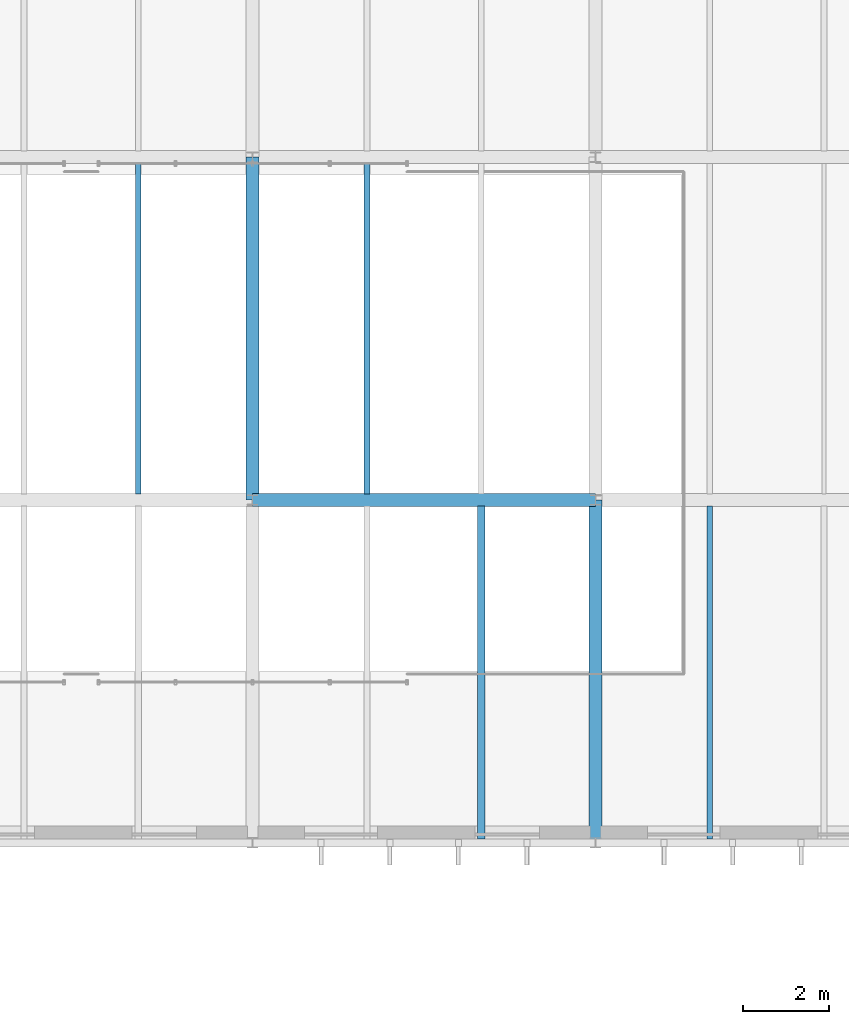
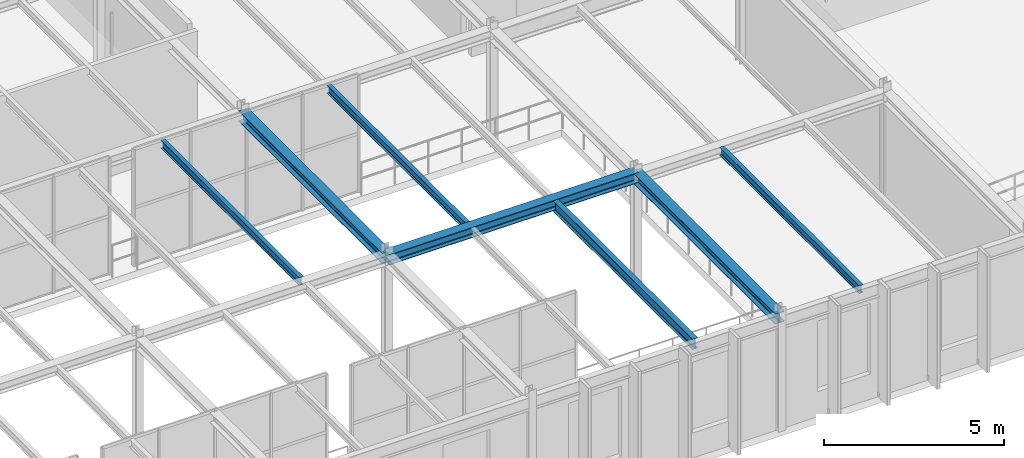
# One storey, part 60 of 124: 7 beams.
"""IFC4 building model written with IfcOpenShell, lengths in metres."""

from ifc_helpers import new_model, si_unit, direction, frame, origin, origin_2d, place, context, subcontext, project, spatial, i_section, extrude, material, material_profile, profile_set, type_object, element, save


model = new_model("IFC4")

# Units and contexts
model_context = context("Model", 3, precision=1e-05, world=origin(), true_north=direction((0.0, 1.0)))
body_context = subcontext(model_context, "Body", "Model", "MODEL_VIEW")
ifc_project = project(units=[si_unit("LENGTHUNIT", "METRE"), si_unit("AREAUNIT", "SQUARE_METRE"), si_unit("VOLUMEUNIT", "CUBIC_METRE"), si_unit("PLANEANGLEUNIT", "RADIAN"), si_unit("MASSUNIT", "GRAM", prefix="KILO")], contexts=[model_context])

# Site, building, storey
site_placement = place(None, origin())
site = spatial("IfcSite", under=ifc_project, at=site_placement, CompositionType="ELEMENT")
building_placement = place(site_placement, origin())
building = spatial("IfcBuilding", under=site, at=building_placement, Name="Sundkrona Museum", CompositionType="ELEMENT")
storey_placement = place(building_placement, frame((0.0, 0.0, 17.60009765625)))
storey = spatial("IfcBuildingStorey", under=building, at=storey_placement, Name="L03", CompositionType="ELEMENT", Elevation=17.60009765625)

# Beams
ifc_material = material(Name="Steel S355J2", Category="steel")
ifc_material_profile_1 = material_profile(ifc_material, i_section(OverallWidth=0.300048828125, OverallDepth=0.35009765625, WebThickness=0.010009765625, FlangeThickness=0.017578125, FilletRadius=0.027099609375, at=origin_2d()), Name="HEA 360")
ifc_profile_set_1 = profile_set([ifc_material_profile_1], Name="Steel S355J2")
beam_type_1 = type_object("IfcBeamType", Name="B-HEA360", PredefinedType="BEAM", material=ifc_profile_set_1)
for number, where, z_axis, x_axis, name in (
    (1, (40.0, 86.0, 3.784912109375), (1.0, 0.0, 0.0), (0.0, 1.0, 0.0), "L03 Girder X-1501"),
    (2, (40.0, 86.0, 3.784912109375), (0.0, 1.0, 0.0), (-1.0, 0.0, 0.0), "L03 Girder Y-1577"),
    (3, (48.0, 78.0, 3.784912109375), (0.0, 1.0, 0.0), (-1.0, 0.0, 0.0), "L03 Girder Y-1581"),
):
    element("IfcBeam", number, at=place(storey_placement, frame(where, z_axis=z_axis, x_axis=x_axis)), inside=storey, type_object=beam_type_1, Name=name, PredefinedType="BEAM", context=body_context, shape_type="SweptSolid", body=[
        extrude(i_section(OverallWidth=0.300048828125, OverallDepth=0.35009765625, WebThickness=0.010009765625, FlangeThickness=0.017578125, FilletRadius=0.027099609375, at=origin_2d()), origin(), (0.0, 0.0, 1.0), 8.0),
    ])
ifc_material_profile_2 = material_profile(ifc_material, i_section(OverallWidth=0.135009765625, OverallDepth=0.27001953125, WebThickness=0.006591796875, FlangeThickness=0.01025390625, FilletRadius=0.014892578125, at=origin_2d()), Name="IPE 270")
ifc_profile_set_2 = profile_set([ifc_material_profile_2], Name="Steel S355J2")
beam_type_2 = type_object("IfcBeamType", Name="J-IPE270", PredefinedType="JOIST", material=ifc_profile_set_2)
for number, where, z_axis, x_axis, name in (
    (4, (37.333251953125, 86.14404296875, 3.824951171875), (0.0, 1.0, 0.0), (-1.0, 0.0, 0.0), "L03 Composite Joist 0997"),
    (5, (42.666748046875, 86.14404296875, 3.824951171875), (0.0, 1.0, 0.0), (-1.0, 0.0, 0.0), "L03 Composite Joist 1006"),
):
    element("IfcBeam", number, at=place(storey_placement, frame(where, z_axis=z_axis, x_axis=x_axis)), inside=storey, type_object=beam_type_2, Name=name, PredefinedType="JOIST", context=body_context, shape_type="SweptSolid", body=[
        extrude(i_section(OverallWidth=0.135009765625, OverallDepth=0.27001953125, WebThickness=0.006591796875, FlangeThickness=0.01025390625, FilletRadius=0.014892578125, at=origin_2d()), origin(), (0.0, 0.0, 1.0), 7.7119140625),
    ])
beam_1_placement = place(storey_placement, frame((50.666748046875, 78.089111328125, 3.764892578125), z_axis=(0.0, 1.0, 0.0), x_axis=(-1.0, 0.0, 0.0)))
element("IfcBeam", 6, at=beam_1_placement, inside=storey, type_object=beam_type_2, Name="L03 Composite Joist 1012", PredefinedType="JOIST", context=body_context, shape_type="SweptSolid", body=[
    extrude(i_section(OverallWidth=0.135009765625, OverallDepth=0.27001953125, WebThickness=0.006591796875, FlangeThickness=0.01025390625, FilletRadius=0.014892578125, at=origin_2d()), origin(), (0.0, 0.0, 1.0), 7.766845703125),
])
ifc_material_profile_3 = material_profile(ifc_material, i_section(OverallWidth=0.169921875, OverallDepth=0.360107421875, WebThickness=0.008056640625, FlangeThickness=0.0126953125, FilletRadius=0.01806640625, at=origin_2d()), Name="IPE 360")
ifc_profile_set_3 = profile_set([ifc_material_profile_3], Name="Steel S355J2")
beam_type_3 = type_object("IfcBeamType", Name="J-IPE360", PredefinedType="JOIST", material=ifc_profile_set_3)
beam_2_placement = place(storey_placement, frame((45.333251953125, 78.089111328125, 3.77978515625), z_axis=(0.0, 1.0, 0.0), x_axis=(-1.0, 0.0, 0.0)))
element("IfcBeam", 7, at=beam_2_placement, inside=storey, type_object=beam_type_3, Name="L03 Composite Joist 1005", PredefinedType="JOIST", context=body_context, shape_type="SweptSolid", body=[
    extrude(i_section(OverallWidth=0.169921875, OverallDepth=0.360107421875, WebThickness=0.008056640625, FlangeThickness=0.0126953125, FilletRadius=0.01806640625, at=origin_2d()), origin(), (0.0, 0.0, 1.0), 7.766845703125),
])

save(model, "model.ifc")
